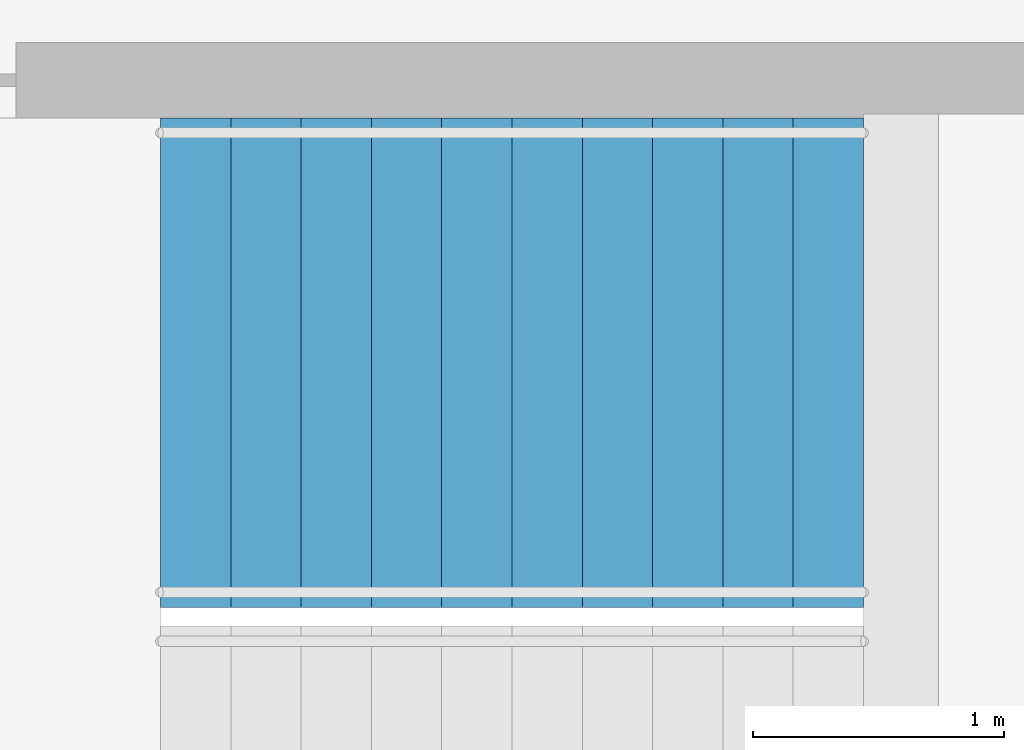
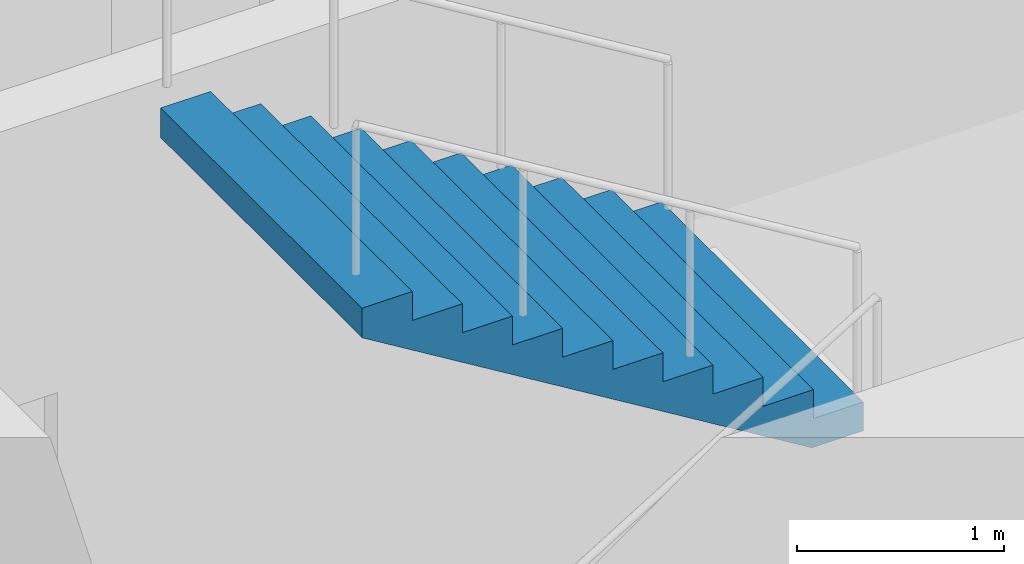
# One storey, part 17 of 20: 1 stair flight, 1 element without a shape of its own.
"""IFC4 building model written with IfcOpenShell, lengths in metres."""

from ifc_helpers import new_model, si_unit, direction, frame, origin, place, context, subcontext, project, spatial, triangles, material, type_object, element, aggregate, save


model = new_model("IFC4")

# Units and contexts
model_context = context("Model", 3, precision=1e-05, world=origin(), true_north=direction((0.0, 1.0)))
body_context = subcontext(model_context, "Body", "Model", "MODEL_VIEW")
ifc_project = project(units=[si_unit("LENGTHUNIT", "METRE"), si_unit("AREAUNIT", "SQUARE_METRE"), si_unit("VOLUMEUNIT", "CUBIC_METRE"), si_unit("PLANEANGLEUNIT", "RADIAN"), si_unit("MASSUNIT", "GRAM", prefix="KILO")], contexts=[model_context])

# Site, building, storey
site_placement = place(None, origin())
site = spatial("IfcSite", under=ifc_project, at=site_placement, CompositionType="ELEMENT")
building_placement = place(site_placement, origin())
building = spatial("IfcBuilding", under=site, at=building_placement, Name="Orbita Commons", CompositionType="ELEMENT")
storey_placement = place(building_placement, frame((0.0, 0.0, 129.39990234375)))
storey = spatial("IfcBuildingStorey", under=building, at=storey_placement, Name="L32", CompositionType="ELEMENT", Elevation=129.39990234375)

# Stair, stair flight
ifc_material_1 = material(Name="Precast concrete C40/50", Category="concrete")
stair_type = type_object("IfcStairType", Name="Exit stair S1 2 flights 11 risers 170", PredefinedType="HALF_TURN_STAIR", material=ifc_material_1)
stair_placement = place(storey_placement, origin())
stair = element("IfcStair", 1, at=stair_placement, inside=storey, type_object=stair_type, Name="Exit stair S1 L32", PredefinedType="HALF_TURN_STAIR")
ifc_material_2 = material(Name="Precast concrete C40/50", Category="concrete")
stair_flight_type = type_object("IfcStairFlightType", Name="Stair flight 11 risers 170 x 280", PredefinedType="STRAIGHT", material=ifc_material_2)
stair_flight_placement = place(storey_placement, frame((23.25, 29.27490234375, 1.875), z_axis=(0.0, 0.0, 1.0), x_axis=(-1.0, 0.0, 0.0)))
stair_flight = element("IfcStairFlight", 2, at=stair_flight_placement, type_object=stair_flight_type, Name="S1 flight 2", NumberOfRisers=11, NumberOfTreads=10, PredefinedType="STRAIGHT", RiserHeight=0.170454545, TreadLength=0.28, context=body_context, shape_type="Tessellation", body=[
    triangles([(0.0, 0.974976, 0.0), (0.0, 0.974976, 0.021307), (0.0, 0.81248, 0.021307), (0.0, 0.81248, 0.0), (0.0, 0.649984, 0.021307), (0.0, 0.649984, 0.0), (0.0, 0.487488, 0.021307), (0.0, 0.487488, 0.0), (0.0, 0.324992, 0.021307), (0.0, 0.324992, 0.0), (0.0, 0.162496, 0.021307), (0.0, 0.162496, 0.0), (0.0, 0.0, 0.021307), (0.0, 0.0, 0.0), (0.0, -0.162496, 0.021307), (0.0, -0.162496, 0.0), (0.0, -0.324992, 0.021307), (0.0, -0.324992, 0.0), (0.0, -0.487488, 0.021307), (0.0, -0.487488, 0.0), (0.0, -0.649984, 0.021307), (0.0, -0.649984, 0.0), (0.0, -0.81248, 0.021307), (0.0, -0.81248, 0.0), (0.0, -0.974976, 0.021307), (0.0, -0.974976, 0.0), (0.0, 0.974976, 0.042614), (0.0, 0.81248, 0.042614), (0.0, 0.649984, 0.042614), (0.0, 0.487488, 0.042614), (0.0, 0.324992, 0.042614), (0.0, 0.162496, 0.042614), (0.0, 0.0, 0.042614), (0.0, -0.162496, 0.042614), (0.0, -0.324992, 0.042614), (0.0, -0.487488, 0.042614), (0.0, -0.649984, 0.042614), (0.0, -0.81248, 0.042614), (0.0, -0.974976, 0.042614), (0.0, 0.974976, 0.06392), (0.0, 0.81248, 0.06392), (0.0, 0.649984, 0.06392), (0.0, 0.487488, 0.06392), (0.0, 0.324992, 0.06392), (0.0, 0.162496, 0.06392), (0.0, 0.0, 0.06392), (0.0, -0.162496, 0.06392), (0.0, -0.324992, 0.06392), (0.0, -0.487488, 0.06392), (0.0, -0.649984, 0.06392), (0.0, -0.81248, 0.06392), (0.0, -0.974976, 0.06392), (0.0, 0.974976, 0.085227), (0.0, 0.81248, 0.085227), (0.0, 0.649984, 0.085227), (0.0, 0.487488, 0.085227), (0.0, 0.324992, 0.085227), (0.0, 0.162496, 0.085227), (0.0, 0.0, 0.085227), (0.0, -0.162496, 0.085227), (0.0, -0.324992, 0.085227), (0.0, -0.487488, 0.085227), (0.0, -0.649984, 0.085227), (0.0, -0.81248, 0.085227), (0.0, -0.974976, 0.085227), (0.0, 0.974976, 0.106534), (0.0, 0.81248, 0.106534), (0.0, 0.649984, 0.106534), (0.0, 0.487488, 0.106534), (0.0, 0.324992, 0.106534), (0.0, 0.162496, 0.106534), (0.0, 0.0, 0.106534), (0.0, -0.162496, 0.106534), (0.0, -0.324992, 0.106534), (0.0, -0.487488, 0.106534), (0.0, -0.649984, 0.106534), (0.0, -0.81248, 0.106534), (0.0, -0.974976, 0.106534), (0.0, 0.974976, 0.127841), (0.0, 0.81248, 0.127841), (0.0, 0.649984, 0.127841), (0.0, 0.487488, 0.127841), (0.0, 0.324992, 0.127841), (0.0, 0.162496, 0.127841), (0.0, 0.0, 0.127841), (0.0, -0.162496, 0.127841), (0.0, -0.324992, 0.127841), (0.0, -0.487488, 0.127841), (0.0, -0.649984, 0.127841), (0.0, -0.81248, 0.127841), (0.0, -0.974976, 0.127841), (0.0, 0.974976, 0.149148), (0.0, 0.81248, 0.149148), (0.0, 0.649984, 0.149148), (0.0, 0.487488, 0.149148), (0.0, 0.324992, 0.149148), (0.0, 0.162496, 0.149148), (0.0, 0.0, 0.149148), (0.0, -0.162496, 0.149148), (0.0, -0.324992, 0.149148), (0.0, -0.487488, 0.149148), (0.0, -0.649984, 0.149148), (0.0, -0.81248, 0.149148), (0.0, -0.974976, 0.149148), (0.0, 0.974976, 0.170455), (0.0, 0.81248, 0.170455), (0.0, 0.649984, 0.170455), (0.0, 0.487488, 0.170455), (0.0, 0.324992, 0.170455), (0.0, 0.162496, 0.170455), (0.0, 0.0, 0.170455), (0.0, -0.162496, 0.170455), (0.0, -0.324992, 0.170455), (0.0, -0.487488, 0.170455), (0.0, -0.649984, 0.170455), (0.0, -0.81248, 0.170455), (0.0, -0.974976, 0.170455), (0.28, 0.974976, 0.170455), (0.28, 0.81248, 0.170455), (0.28, 0.649984, 0.170455), (0.28, 0.487488, 0.170455), (0.28, 0.324992, 0.170455), (0.28, 0.162496, 0.170455), (0.28, 0.0, 0.170455), (0.28, -0.162496, 0.170455), (0.28, -0.324992, 0.170455), (0.28, -0.487488, 0.170455), (0.28, -0.649984, 0.170455), (0.28, -0.81248, 0.170455), (0.28, -0.974976, 0.170455), (0.28, 0.974976, 0.340909), (0.28, 0.81248, 0.340909), (0.28, 0.649984, 0.340909), (0.28, 0.487488, 0.340909), (0.28, 0.324992, 0.340909), (0.28, 0.162496, 0.340909), (0.28, 0.0, 0.340909), (0.28, -0.162496, 0.340909), (0.28, -0.324992, 0.340909), (0.28, -0.487488, 0.340909), (0.28, -0.649984, 0.340909), (0.28, -0.81248, 0.340909), (0.28, -0.974976, 0.340909), (0.56, 0.974976, 0.340909), (0.56, 0.81248, 0.340909), (0.56, 0.649984, 0.340909), (0.56, 0.487488, 0.340909), (0.56, 0.324992, 0.340909), (0.56, 0.162496, 0.340909), (0.56, 0.0, 0.340909), (0.56, -0.162496, 0.340909), (0.56, -0.324992, 0.340909), (0.56, -0.487488, 0.340909), (0.56, -0.649984, 0.340909), (0.56, -0.81248, 0.340909), (0.56, -0.974976, 0.340909), (0.56, 0.974976, 0.511364), (0.56, 0.81248, 0.511364), (0.56, 0.649984, 0.511364), (0.56, 0.487488, 0.511364), (0.56, 0.324992, 0.511364), (0.56, 0.162496, 0.511364), (0.56, 0.0, 0.511364), (0.56, -0.162496, 0.511364), (0.56, -0.324992, 0.511364), (0.56, -0.487488, 0.511364), (0.56, -0.649984, 0.511364), (0.56, -0.81248, 0.511364), (0.56, -0.974976, 0.511364), (0.84, 0.974976, 0.511364), (0.84, 0.81248, 0.511364), (0.84, 0.649984, 0.511364), (0.84, 0.487488, 0.511364), (0.84, 0.324992, 0.511364), (0.84, 0.162496, 0.511364), (0.84, 0.0, 0.511364), (0.84, -0.162496, 0.511364), (0.84, -0.324992, 0.511364), (0.84, -0.487488, 0.511364), (0.84, -0.649984, 0.511364), (0.84, -0.81248, 0.511364), (0.84, -0.974976, 0.511364), (0.84, 0.974976, 0.681818), (0.84, 0.81248, 0.681818), (0.84, 0.649984, 0.681818), (0.84, 0.487488, 0.681818), (0.84, 0.324992, 0.681818), (0.84, 0.162496, 0.681818), (0.84, 0.0, 0.681818), (0.84, -0.162496, 0.681818), (0.84, -0.324992, 0.681818), (0.84, -0.487488, 0.681818), (0.84, -0.649984, 0.681818), (0.84, -0.81248, 0.681818), (0.84, -0.974976, 0.681818), (1.12, 0.974976, 0.681818), (1.12, 0.81248, 0.681818), (1.12, 0.649984, 0.681818), (1.12, 0.487488, 0.681818), (1.12, 0.324992, 0.681818), (1.12, 0.162496, 0.681818), (1.12, 0.0, 0.681818), (1.12, -0.162496, 0.681818), (1.12, -0.324992, 0.681818), (1.12, -0.487488, 0.681818), (1.12, -0.649984, 0.681818), (1.12, -0.81248, 0.681818), (1.12, -0.974976, 0.681818), (1.12, 0.974976, 0.852273), (1.12, 0.81248, 0.852273), (1.12, 0.649984, 0.852273), (1.12, 0.487488, 0.852273), (1.12, 0.324992, 0.852273), (1.12, 0.162496, 0.852273), (1.12, 0.0, 0.852273), (1.12, -0.162496, 0.852273), (1.12, -0.324992, 0.852273), (1.12, -0.487488, 0.852273), (1.12, -0.649984, 0.852273), (1.12, -0.81248, 0.852273), (1.12, -0.974976, 0.852273), (1.4, 0.974976, 0.852273), (1.4, 0.81248, 0.852273), (1.4, 0.649984, 0.852273), (1.4, 0.487488, 0.852273), (1.4, 0.324992, 0.852273), (1.4, 0.162496, 0.852273), (1.4, 0.0, 0.852273), (1.4, -0.162496, 0.852273), (1.4, -0.324992, 0.852273), (1.4, -0.487488, 0.852273), (1.4, -0.649984, 0.852273), (1.4, -0.81248, 0.852273), (1.4, -0.974976, 0.852273), (1.4, 0.974976, 1.022727), (1.4, 0.81248, 1.022727), (1.4, 0.649984, 1.022727), (1.4, 0.487488, 1.022727), (1.4, 0.324992, 1.022727), (1.4, 0.162496, 1.022727), (1.4, 0.0, 1.022727), (1.4, -0.162496, 1.022727), (1.4, -0.324992, 1.022727), (1.4, -0.487488, 1.022727), (1.4, -0.649984, 1.022727), (1.4, -0.81248, 1.022727), (1.4, -0.974976, 1.022727), (1.68, 0.974976, 1.022727), (1.68, 0.81248, 1.022727), (1.68, 0.649984, 1.022727), (1.68, 0.487488, 1.022727), (1.68, 0.324992, 1.022727), (1.68, 0.162496, 1.022727), (1.68, 0.0, 1.022727), (1.68, -0.162496, 1.022727), (1.68, -0.324992, 1.022727), (1.68, -0.487488, 1.022727), (1.68, -0.649984, 1.022727), (1.68, -0.81248, 1.022727), (1.68, -0.974976, 1.022727), (1.68, 0.974976, 1.193182), (1.68, 0.81248, 1.193182), (1.68, 0.649984, 1.193182), (1.68, 0.487488, 1.193182), (1.68, 0.324992, 1.193182), (1.68, 0.162496, 1.193182), (1.68, 0.0, 1.193182), (1.68, -0.162496, 1.193182), (1.68, -0.324992, 1.193182), (1.68, -0.487488, 1.193182), (1.68, -0.649984, 1.193182), (1.68, -0.81248, 1.193182), (1.68, -0.974976, 1.193182), (1.96, 0.974976, 1.193182), (1.96, 0.81248, 1.193182), (1.96, 0.649984, 1.193182), (1.96, 0.487488, 1.193182), (1.96, 0.324992, 1.193182), (1.96, 0.162496, 1.193182), (1.96, 0.0, 1.193182), (1.96, -0.162496, 1.193182), (1.96, -0.324992, 1.193182), (1.96, -0.487488, 1.193182), (1.96, -0.649984, 1.193182), (1.96, -0.81248, 1.193182), (1.96, -0.974976, 1.193182), (1.96, 0.974976, 1.363636), (1.96, 0.81248, 1.363636), (1.96, 0.649984, 1.363636), (1.96, 0.487488, 1.363636), (1.96, 0.324992, 1.363636), (1.96, 0.162496, 1.363636), (1.96, 0.0, 1.363636), (1.96, -0.162496, 1.363636), (1.96, -0.324992, 1.363636), (1.96, -0.487488, 1.363636), (1.96, -0.649984, 1.363636), (1.96, -0.81248, 1.363636), (1.96, -0.974976, 1.363636), (2.24, 0.974976, 1.363636), (2.24, 0.81248, 1.363636), (2.24, 0.649984, 1.363636), (2.24, 0.487488, 1.363636), (2.24, 0.324992, 1.363636), (2.24, 0.162496, 1.363636), (2.24, 0.0, 1.363636), (2.24, -0.162496, 1.363636), (2.24, -0.324992, 1.363636), (2.24, -0.487488, 1.363636), (2.24, -0.649984, 1.363636), (2.24, -0.81248, 1.363636), (2.24, -0.974976, 1.363636), (2.24, 0.974976, 1.534091), (2.24, 0.81248, 1.534091), (2.24, 0.649984, 1.534091), (2.24, 0.487488, 1.534091), (2.24, 0.324992, 1.534091), (2.24, 0.162496, 1.534091), (2.24, 0.0, 1.534091), (2.24, -0.162496, 1.534091), (2.24, -0.324992, 1.534091), (2.24, -0.487488, 1.534091), (2.24, -0.649984, 1.534091), (2.24, -0.81248, 1.534091), (2.24, -0.974976, 1.534091), (2.52, 0.974976, 1.534091), (2.52, 0.81248, 1.534091), (2.52, 0.649984, 1.534091), (2.52, 0.487488, 1.534091), (2.52, 0.324992, 1.534091), (2.52, 0.162496, 1.534091), (2.52, 0.0, 1.534091), (2.52, -0.162496, 1.534091), (2.52, -0.324992, 1.534091), (2.52, -0.487488, 1.534091), (2.52, -0.649984, 1.534091), (2.52, -0.81248, 1.534091), (2.52, -0.974976, 1.534091), (2.52, 0.974976, 1.704545), (2.52, 0.81248, 1.704545), (2.52, 0.649984, 1.704545), (2.52, 0.487488, 1.704545), (2.52, 0.324992, 1.704545), (2.52, 0.162496, 1.704545), (2.52, 0.0, 1.704545), (2.52, -0.162496, 1.704545), (2.52, -0.324992, 1.704545), (2.52, -0.487488, 1.704545), (2.52, -0.649984, 1.704545), (2.52, -0.81248, 1.704545), (2.52, -0.974976, 1.704545), (2.8, 0.974976, 1.704545), (2.8, 0.81248, 1.704545), (2.8, 0.649984, 1.704545), (2.8, 0.487488, 1.704545), (2.8, 0.324992, 1.704545), (2.8, 0.162496, 1.704545), (2.8, 0.0, 1.704545), (2.8, -0.162496, 1.704545), (2.8, -0.324992, 1.704545), (2.8, -0.487488, 1.704545), (2.8, -0.649984, 1.704545), (2.8, -0.81248, 1.704545), (2.8, -0.974976, 1.704545), (2.8, 0.974976, 1.682609), (2.8, 0.81248, 1.682609), (2.8, 0.649984, 1.682609), (2.8, 0.487488, 1.682609), (2.8, 0.324992, 1.682609), (2.8, 0.162496, 1.682609), (2.8, 0.0, 1.682609), (2.8, -0.162496, 1.682609), (2.8, -0.324992, 1.682609), (2.8, -0.487488, 1.682609), (2.8, -0.649984, 1.682609), (2.8, -0.81248, 1.682609), (2.8, -0.974976, 1.682609), (2.8, 0.974976, 1.660672), (2.8, 0.81248, 1.660672), (2.8, 0.649984, 1.660672), (2.8, 0.487488, 1.660672), (2.8, 0.324992, 1.660672), (2.8, 0.162496, 1.660672), (2.8, 0.0, 1.660672), (2.8, -0.162496, 1.660672), (2.8, -0.324992, 1.660672), (2.8, -0.487488, 1.660672), (2.8, -0.649984, 1.660672), (2.8, -0.81248, 1.660672), (2.8, -0.974976, 1.660672), (2.8, 0.974976, 1.638735), (2.8, 0.81248, 1.638735), (2.8, 0.649984, 1.638735), (2.8, 0.487488, 1.638735), (2.8, 0.324992, 1.638735), (2.8, 0.162496, 1.638735), (2.8, 0.0, 1.638735), (2.8, -0.162496, 1.638735), (2.8, -0.324992, 1.638735), (2.8, -0.487488, 1.638735), (2.8, -0.649984, 1.638735), (2.8, -0.81248, 1.638735), (2.8, -0.974976, 1.638735), (2.8, 0.974976, 1.616798), (2.8, 0.81248, 1.616798), (2.8, 0.649984, 1.616798), (2.8, 0.487488, 1.616798), (2.8, 0.324992, 1.616798), (2.8, 0.162496, 1.616798), (2.8, 0.0, 1.616798), (2.8, -0.162496, 1.616798), (2.8, -0.324992, 1.616798), (2.8, -0.487488, 1.616798), (2.8, -0.649984, 1.616798), (2.8, -0.81248, 1.616798), (2.8, -0.974976, 1.616798), (2.8, 0.974976, 1.594861), (2.8, 0.81248, 1.594861), (2.8, 0.649984, 1.594861), (2.8, 0.487488, 1.594861), (2.8, 0.324992, 1.594861), (2.8, 0.162496, 1.594861), (2.8, 0.0, 1.594861), (2.8, -0.162496, 1.594861), (2.8, -0.324992, 1.594861), (2.8, -0.487488, 1.594861), (2.8, -0.649984, 1.594861), (2.8, -0.81248, 1.594861), (2.8, -0.974976, 1.594861), (2.8, 0.974976, 1.572925), (2.8, 0.81248, 1.572925), (2.8, 0.649984, 1.572925), (2.8, 0.487488, 1.572925), (2.8, 0.324992, 1.572925), (2.8, 0.162496, 1.572925), (2.8, 0.0, 1.572925), (2.8, -0.162496, 1.572925), (2.8, -0.324992, 1.572925), (2.8, -0.487488, 1.572925), (2.8, -0.649984, 1.572925), (2.8, -0.81248, 1.572925), (2.8, -0.974976, 1.572925), (2.8, 0.974976, 1.550988), (2.8, 0.81248, 1.550988), (2.8, 0.649984, 1.550988), (2.8, 0.487488, 1.550988), (2.8, 0.324992, 1.550988), (2.8, 0.162496, 1.550988), (2.8, 0.0, 1.550988), (2.8, -0.162496, 1.550988), (2.8, -0.324992, 1.550988), (2.8, -0.487488, 1.550988), (2.8, -0.649984, 1.550988), (2.8, -0.81248, 1.550988), (2.8, -0.974976, 1.550988), (2.8, 0.974976, 1.529051), (2.8, 0.81248, 1.529051), (2.8, 0.649984, 1.529051), (2.8, 0.487488, 1.529051), (2.8, 0.324992, 1.529051), (2.8, 0.162496, 1.529051), (2.8, 0.0, 1.529051), (2.8, -0.162496, 1.529051), (2.8, -0.324992, 1.529051), (2.8, -0.487488, 1.529051), (2.8, -0.649984, 1.529051), (2.8, -0.81248, 1.529051), (2.8, -0.974976, 1.529051), (0.288279, 0.974976, 0.0), (0.288279, 0.81248, 0.0), (0.288279, 0.649984, 0.0), (0.288279, 0.487488, 0.0), (0.288279, 0.324992, 0.0), (0.288279, 0.162496, 0.0), (0.288279, 0.0, 0.0), (0.288279, -0.162496, 0.0), (0.288279, -0.324992, 0.0), (0.288279, -0.487488, 0.0), (0.288279, -0.649984, 0.0), (0.288279, -0.81248, 0.0), (0.288279, -0.974976, 0.0)], [[3, 2, 1], [4, 3, 1], [5, 3, 4], [6, 5, 4], [7, 5, 6], [8, 7, 6], [9, 7, 8], [10, 9, 8], [11, 9, 10], [12, 11, 10], [13, 11, 12], [14, 13, 12], [15, 13, 14], [16, 15, 14], [17, 15, 16], [18, 17, 16], [19, 17, 18], [20, 19, 18], [21, 19, 20], [22, 21, 20], [23, 21, 22], [24, 23, 22], [25, 23, 24], [26, 25, 24], [28, 27, 2], [3, 28, 2], [29, 28, 3], [5, 29, 3], [30, 29, 5], [7, 30, 5], [31, 30, 7], [9, 31, 7], [32, 31, 9], [11, 32, 9], [33, 32, 11], [13, 33, 11], [34, 33, 13], [15, 34, 13], [35, 34, 15], [17, 35, 15], [36, 35, 17], [19, 36, 17], [37, 36, 19], [21, 37, 19], [38, 37, 21], [23, 38, 21], [39, 38, 23], [25, 39, 23], [41, 40, 27], [28, 41, 27], [42, 41, 28], [29, 42, 28], [43, 42, 29], [30, 43, 29], [44, 43, 30], [31, 44, 30], [45, 44, 31], [32, 45, 31], [46, 45, 32], [33, 46, 32], [47, 46, 33], [34, 47, 33], [48, 47, 34], [35, 48, 34], [49, 48, 35], [36, 49, 35], [50, 49, 36], [37, 50, 36], [51, 50, 37], [38, 51, 37], [52, 51, 38], [39, 52, 38], [54, 53, 40], [41, 54, 40], [55, 54, 41], [42, 55, 41], [56, 55, 42], [43, 56, 42], [57, 56, 43], [44, 57, 43], [58, 57, 44], [45, 58, 44], [59, 58, 45], [46, 59, 45], [60, 59, 46], [47, 60, 46], [61, 60, 47], [48, 61, 47], [62, 61, 48], [49, 62, 48], [63, 62, 49], [50, 63, 49], [64, 63, 50], [51, 64, 50], [65, 64, 51], [52, 65, 51], [67, 66, 53], [54, 67, 53], [68, 67, 54], [55, 68, 54], [69, 68, 55], [56, 69, 55], [70, 69, 56], [57, 70, 56], [71, 70, 57], [58, 71, 57], [72, 71, 58], [59, 72, 58], [73, 72, 59], [60, 73, 59], [74, 73, 60], [61, 74, 60], [75, 74, 61], [62, 75, 61], [76, 75, 62], [63, 76, 62], [77, 76, 63], [64, 77, 63], [78, 77, 64], [65, 78, 64], [80, 79, 66], [67, 80, 66], [81, 80, 67], [68, 81, 67], [82, 81, 68], [69, 82, 68], [83, 82, 69], [70, 83, 69], [84, 83, 70], [71, 84, 70], [85, 84, 71], [72, 85, 71], [86, 85, 72], [73, 86, 72], [87, 86, 73], [74, 87, 73], [88, 87, 74], [75, 88, 74], [89, 88, 75], [76, 89, 75], [90, 89, 76], [77, 90, 76], [91, 90, 77], [78, 91, 77], [93, 92, 79], [80, 93, 79], [94, 93, 80], [81, 94, 80], [95, 94, 81], [82, 95, 81], [96, 95, 82], [83, 96, 82], [97, 96, 83], [84, 97, 83], [98, 97, 84], [85, 98, 84], [99, 98, 85], [86, 99, 85], [100, 99, 86], [87, 100, 86], [101, 100, 87], [88, 101, 87], [102, 101, 88], [89, 102, 88], [103, 102, 89], [90, 103, 89], [104, 103, 90], [91, 104, 90], [106, 105, 92], [93, 106, 92], [107, 106, 93], [94, 107, 93], [108, 107, 94], [95, 108, 94], [109, 108, 95], [96, 109, 95], [110, 109, 96], [97, 110, 96], [111, 110, 97], [98, 111, 97], [112, 111, 98], [99, 112, 98], [113, 112, 99], [100, 113, 99], [114, 113, 100], [101, 114, 100], [115, 114, 101], [102, 115, 101], [116, 115, 102], [103, 116, 102], [117, 116, 103], [104, 117, 103], [119, 118, 105], [106, 119, 105], [120, 119, 106], [107, 120, 106], [121, 120, 107], [108, 121, 107], [122, 121, 108], [109, 122, 108], [123, 122, 109], [110, 123, 109], [124, 123, 110], [111, 124, 110], [125, 124, 111], [112, 125, 111], [126, 125, 112], [113, 126, 112], [127, 126, 113], [114, 127, 113], [128, 127, 114], [115, 128, 114], [129, 128, 115], [116, 129, 115], [130, 129, 116], [117, 130, 116], [132, 131, 118], [119, 132, 118], [133, 132, 119], [120, 133, 119], [134, 133, 120], [121, 134, 120], [135, 134, 121], [122, 135, 121], [136, 135, 122], [123, 136, 122], [137, 136, 123], [124, 137, 123], [138, 137, 124], [125, 138, 124], [139, 138, 125], [126, 139, 125], [140, 139, 126], [127, 140, 126], [141, 140, 127], [128, 141, 127], [142, 141, 128], [129, 142, 128], [143, 142, 129], [130, 143, 129], [145, 144, 131], [132, 145, 131], [146, 145, 132], [133, 146, 132], [147, 146, 133], [134, 147, 133], [148, 147, 134], [135, 148, 134], [149, 148, 135], [136, 149, 135], [150, 149, 136], [137, 150, 136], [151, 150, 137], [138, 151, 137], [152, 151, 138], [139, 152, 138], [153, 152, 139], [140, 153, 139], [154, 153, 140], [141, 154, 140], [155, 154, 141], [142, 155, 141], [156, 155, 142], [143, 156, 142], [158, 157, 144], [145, 158, 144], [159, 158, 145], [146, 159, 145], [160, 159, 146], [147, 160, 146], [161, 160, 147], [148, 161, 147], [162, 161, 148], [149, 162, 148], [163, 162, 149], [150, 163, 149], [164, 163, 150], [151, 164, 150], [165, 164, 151], [152, 165, 151], [166, 165, 152], [153, 166, 152], [167, 166, 153], [154, 167, 153], [168, 167, 154], [155, 168, 154], [169, 168, 155], [156, 169, 155], [171, 170, 157], [158, 171, 157], [172, 171, 158], [159, 172, 158], [173, 172, 159], [160, 173, 159], [174, 173, 160], [161, 174, 160], [175, 174, 161], [162, 175, 161], [176, 175, 162], [163, 176, 162], [177, 176, 163], [164, 177, 163], [178, 177, 164], [165, 178, 164], [179, 178, 165], [166, 179, 165], [180, 179, 166], [167, 180, 166], [181, 180, 167], [168, 181, 167], [182, 181, 168], [169, 182, 168], [184, 183, 170], [171, 184, 170], [185, 184, 171], [172, 185, 171], [186, 185, 172], [173, 186, 172], [187, 186, 173], [174, 187, 173], [188, 187, 174], [175, 188, 174], [189, 188, 175], [176, 189, 175], [190, 189, 176], [177, 190, 176], [191, 190, 177], [178, 191, 177], [192, 191, 178], [179, 192, 178], [193, 192, 179], [180, 193, 179], [194, 193, 180], [181, 194, 180], [195, 194, 181], [182, 195, 181], [197, 196, 183], [184, 197, 183], [198, 197, 184], [185, 198, 184], [199, 198, 185], [186, 199, 185], [200, 199, 186], [187, 200, 186], [201, 200, 187], [188, 201, 187], [202, 201, 188], [189, 202, 188], [203, 202, 189], [190, 203, 189], [204, 203, 190], [191, 204, 190], [205, 204, 191], [192, 205, 191], [206, 205, 192], [193, 206, 192], [207, 206, 193], [194, 207, 193], [208, 207, 194], [195, 208, 194], [210, 209, 196], [197, 210, 196], [211, 210, 197], [198, 211, 197], [212, 211, 198], [199, 212, 198], [213, 212, 199], [200, 213, 199], [214, 213, 200], [201, 214, 200], [215, 214, 201], [202, 215, 201], [216, 215, 202], [203, 216, 202], [217, 216, 203], [204, 217, 203], [218, 217, 204], [205, 218, 204], [219, 218, 205], [206, 219, 205], [220, 219, 206], [207, 220, 206], [221, 220, 207], [208, 221, 207], [223, 222, 209], [210, 223, 209], [224, 223, 210], [211, 224, 210], [225, 224, 211], [212, 225, 211], [226, 225, 212], [213, 226, 212], [227, 226, 213], [214, 227, 213], [228, 227, 214], [215, 228, 214], [229, 228, 215], [216, 229, 215], [230, 229, 216], [217, 230, 216], [231, 230, 217], [218, 231, 217], [232, 231, 218], [219, 232, 218], [233, 232, 219], [220, 233, 219], [234, 233, 220], [221, 234, 220], [236, 235, 222], [223, 236, 222], [237, 236, 223], [224, 237, 223], [238, 237, 224], [225, 238, 224], [239, 238, 225], [226, 239, 225], [240, 239, 226], [227, 240, 226], [241, 240, 227], [228, 241, 227], [242, 241, 228], [229, 242, 228], [243, 242, 229], [230, 243, 229], [244, 243, 230], [231, 244, 230], [245, 244, 231], [232, 245, 231], [246, 245, 232], [233, 246, 232], [247, 246, 233], [234, 247, 233], [249, 248, 235], [236, 249, 235], [250, 249, 236], [237, 250, 236], [251, 250, 237], [238, 251, 237], [252, 251, 238], [239, 252, 238], [253, 252, 239], [240, 253, 239], [254, 253, 240], [241, 254, 240], [255, 254, 241], [242, 255, 241], [256, 255, 242], [243, 256, 242], [257, 256, 243], [244, 257, 243], [258, 257, 244], [245, 258, 244], [259, 258, 245], [246, 259, 245], [260, 259, 246], [247, 260, 246], [262, 261, 248], [249, 262, 248], [263, 262, 249], [250, 263, 249], [264, 263, 250], [251, 264, 250], [265, 264, 251], [252, 265, 251], [266, 265, 252], [253, 266, 252], [267, 266, 253], [254, 267, 253], [268, 267, 254], [255, 268, 254], [269, 268, 255], [256, 269, 255], [270, 269, 256], [257, 270, 256], [271, 270, 257], [258, 271, 257], [272, 271, 258], [259, 272, 258], [273, 272, 259], [260, 273, 259], [275, 274, 261], [262, 275, 261], [276, 275, 262], [263, 276, 262], [277, 276, 263], [264, 277, 263], [278, 277, 264], [265, 278, 264], [279, 278, 265], [266, 279, 265], [280, 279, 266], [267, 280, 266], [281, 280, 267], [268, 281, 267], [282, 281, 268], [269, 282, 268], [283, 282, 269], [270, 283, 269], [284, 283, 270], [271, 284, 270], [285, 284, 271], [272, 285, 271], [286, 285, 272], [273, 286, 272], [288, 287, 274], [275, 288, 274], [289, 288, 275], [276, 289, 275], [290, 289, 276], [277, 290, 276], [291, 290, 277], [278, 291, 277], [292, 291, 278], [279, 292, 278], [293, 292, 279], [280, 293, 279], [294, 293, 280], [281, 294, 280], [295, 294, 281], [282, 295, 281], [296, 295, 282], [283, 296, 282], [297, 296, 283], [284, 297, 283], [298, 297, 284], [285, 298, 284], [299, 298, 285], [286, 299, 285], [301, 300, 287], [288, 301, 287], [302, 301, 288], [289, 302, 288], [303, 302, 289], [290, 303, 289], [304, 303, 290], [291, 304, 290], [305, 304, 291], [292, 305, 291], [306, 305, 292], [293, 306, 292], [307, 306, 293], [294, 307, 293], [308, 307, 294], [295, 308, 294], [309, 308, 295], [296, 309, 295], [310, 309, 296], [297, 310, 296], [311, 310, 297], [298, 311, 297], [312, 311, 298], [299, 312, 298], [314, 313, 300], [301, 314, 300], [315, 314, 301], [302, 315, 301], [316, 315, 302], [303, 316, 302], [317, 316, 303], [304, 317, 303], [318, 317, 304], [305, 318, 304], [319, 318, 305], [306, 319, 305], [320, 319, 306], [307, 320, 306], [321, 320, 307], [308, 321, 307], [322, 321, 308], [309, 322, 308], [323, 322, 309], [310, 323, 309], [324, 323, 310], [311, 324, 310], [325, 324, 311], [312, 325, 311], [327, 326, 313], [314, 327, 313], [328, 327, 314], [315, 328, 314], [329, 328, 315], [316, 329, 315], [330, 329, 316], [317, 330, 316], [331, 330, 317], [318, 331, 317], [332, 331, 318], [319, 332, 318], [333, 332, 319], [320, 333, 319], [334, 333, 320], [321, 334, 320], [335, 334, 321], [322, 335, 321], [336, 335, 322], [323, 336, 322], [337, 336, 323], [324, 337, 323], [338, 337, 324], [325, 338, 324], [340, 339, 326], [327, 340, 326], [341, 340, 327], [328, 341, 327], [342, 341, 328], [329, 342, 328], [343, 342, 329], [330, 343, 329], [344, 343, 330], [331, 344, 330], [345, 344, 331], [332, 345, 331], [346, 345, 332], [333, 346, 332], [347, 346, 333], [334, 347, 333], [348, 347, 334], [335, 348, 334], [349, 348, 335], [336, 349, 335], [350, 349, 336], [337, 350, 336], [351, 350, 337], [338, 351, 337], [353, 352, 339], [340, 353, 339], [354, 353, 340], [341, 354, 340], [355, 354, 341], [342, 355, 341], [356, 355, 342], [343, 356, 342], [357, 356, 343], [344, 357, 343], [358, 357, 344], [345, 358, 344], [359, 358, 345], [346, 359, 345], [360, 359, 346], [347, 360, 346], [361, 360, 347], [348, 361, 347], [362, 361, 348], [349, 362, 348], [363, 362, 349], [350, 363, 349], [364, 363, 350], [351, 364, 350], [366, 365, 352], [353, 366, 352], [367, 366, 353], [354, 367, 353], [368, 367, 354], [355, 368, 354], [369, 368, 355], [356, 369, 355], [370, 369, 356], [357, 370, 356], [371, 370, 357], [358, 371, 357], [372, 371, 358], [359, 372, 358], [373, 372, 359], [360, 373, 359], [374, 373, 360], [361, 374, 360], [375, 374, 361], [362, 375, 361], [376, 375, 362], [363, 376, 362], [377, 376, 363], [364, 377, 363], [379, 378, 365], [366, 379, 365], [380, 379, 366], [367, 380, 366], [381, 380, 367], [368, 381, 367], [382, 381, 368], [369, 382, 368], [383, 382, 369], [370, 383, 369], [384, 383, 370], [371, 384, 370], [385, 384, 371], [372, 385, 371], [386, 385, 372], [373, 386, 372], [387, 386, 373], [374, 387, 373], [388, 387, 374], [375, 388, 374], [389, 388, 375], [376, 389, 375], [390, 389, 376], [377, 390, 376], [392, 391, 378], [379, 392, 378], [393, 392, 379], [380, 393, 379], [394, 393, 380], [381, 394, 380], [395, 394, 381], [382, 395, 381], [396, 395, 382], [383, 396, 382], [397, 396, 383], [384, 397, 383], [398, 397, 384], [385, 398, 384], [399, 398, 385], [386, 399, 385], [400, 399, 386], [387, 400, 386], [401, 400, 387], [388, 401, 387], [402, 401, 388], [389, 402, 388], [403, 402, 389], [390, 403, 389], [405, 404, 391], [392, 405, 391], [406, 405, 392], [393, 406, 392], [407, 406, 393], [394, 407, 393], [408, 407, 394], [395, 408, 394], [409, 408, 395], [396, 409, 395], [410, 409, 396], [397, 410, 396], [411, 410, 397], [398, 411, 397], [412, 411, 398], [399, 412, 398], [413, 412, 399], [400, 413, 399], [414, 413, 400], [401, 414, 400], [415, 414, 401], [402, 415, 401], [416, 415, 402], [403, 416, 402], [418, 417, 404], [405, 418, 404], [419, 418, 405], [406, 419, 405], [420, 419, 406], [407, 420, 406], [421, 420, 407], [408, 421, 407], [422, 421, 408], [409, 422, 408], [423, 422, 409], [410, 423, 409], [424, 423, 410], [411, 424, 410], [425, 424, 411], [412, 425, 411], [426, 425, 412], [413, 426, 412], [427, 426, 413], [414, 427, 413], [428, 427, 414], [415, 428, 414], [429, 428, 415], [416, 429, 415], [431, 430, 417], [418, 431, 417], [432, 431, 418], [419, 432, 418], [433, 432, 419], [420, 433, 419], [434, 433, 420], [421, 434, 420], [435, 434, 421], [422, 435, 421], [436, 435, 422], [423, 436, 422], [437, 436, 423], [424, 437, 423], [438, 437, 424], [425, 438, 424], [439, 438, 425], [426, 439, 425], [440, 439, 426], [427, 440, 426], [441, 440, 427], [428, 441, 427], [442, 441, 428], [429, 442, 428], [444, 443, 430], [431, 444, 430], [445, 444, 431], [432, 445, 431], [446, 445, 432], [433, 446, 432], [447, 446, 433], [434, 447, 433], [448, 447, 434], [435, 448, 434], [449, 448, 435], [436, 449, 435], [450, 449, 436], [437, 450, 436], [451, 450, 437], [438, 451, 437], [452, 451, 438], [439, 452, 438], [453, 452, 439], [440, 453, 439], [454, 453, 440], [441, 454, 440], [455, 454, 441], [442, 455, 441], [457, 456, 443], [444, 457, 443], [458, 457, 444], [445, 458, 444], [459, 458, 445], [446, 459, 445], [460, 459, 446], [447, 460, 446], [461, 460, 447], [448, 461, 447], [462, 461, 448], [449, 462, 448], [463, 462, 449], [450, 463, 449], [464, 463, 450], [451, 464, 450], [465, 464, 451], [452, 465, 451], [466, 465, 452], [453, 466, 452], [467, 466, 453], [454, 467, 453], [468, 467, 454], [455, 468, 454], [470, 469, 456], [457, 470, 456], [471, 470, 457], [458, 471, 457], [472, 471, 458], [459, 472, 458], [473, 472, 459], [460, 473, 459], [474, 473, 460], [461, 474, 460], [475, 474, 461], [462, 475, 461], [476, 475, 462], [463, 476, 462], [477, 476, 463], [464, 477, 463], [478, 477, 464], [465, 478, 464], [479, 478, 465], [466, 479, 465], [480, 479, 466], [467, 480, 466], [481, 480, 467], [468, 481, 467], [4, 1, 469], [470, 4, 469], [6, 4, 470], [471, 6, 470], [8, 6, 471], [472, 8, 471], [10, 8, 472], [473, 10, 472], [12, 10, 473], [474, 12, 473], [14, 12, 474], [475, 14, 474], [16, 14, 475], [476, 16, 475], [18, 16, 476], [477, 18, 476], [20, 18, 477], [478, 20, 477], [22, 20, 478], [479, 22, 478], [24, 22, 479], [480, 24, 479], [26, 24, 480], [481, 26, 480], [456, 469, 1], [26, 481, 468], [443, 456, 1], [26, 468, 455], [430, 443, 1], [26, 455, 442], [417, 430, 1], [26, 442, 429], [404, 417, 1], [26, 429, 416], [391, 404, 1], [26, 416, 403], [378, 391, 1], [26, 403, 390], [365, 378, 1], [26, 390, 377], [339, 352, 365], [377, 364, 351], [326, 339, 365], [377, 351, 338], [300, 313, 326], [338, 325, 312], [300, 326, 365], [377, 338, 312], [274, 287, 300], [312, 299, 286], [274, 300, 365], [377, 312, 286], [248, 261, 274], [286, 273, 260], [248, 274, 365], [377, 286, 260], [222, 235, 248], [260, 247, 234], [222, 248, 365], [377, 260, 234], [196, 209, 222], [234, 221, 208], [196, 222, 365], [377, 234, 208], [170, 183, 196], [208, 195, 182], [170, 196, 365], [377, 208, 182], [144, 157, 170], [182, 169, 156], [144, 170, 365], [377, 182, 156], [118, 131, 144], [156, 143, 130], [118, 144, 365], [377, 156, 130], [118, 365, 1], [26, 377, 130], [92, 105, 118], [130, 117, 104], [79, 92, 118], [130, 104, 91], [66, 79, 118], [130, 91, 78], [53, 66, 118], [130, 78, 65], [40, 53, 118], [130, 65, 52], [27, 40, 118], [130, 52, 39], [2, 27, 118], [130, 39, 25], [1, 2, 118], [130, 25, 26]], closed=True),
])
aggregate(stair, [stair_flight])

save(model, "model.ifc")
